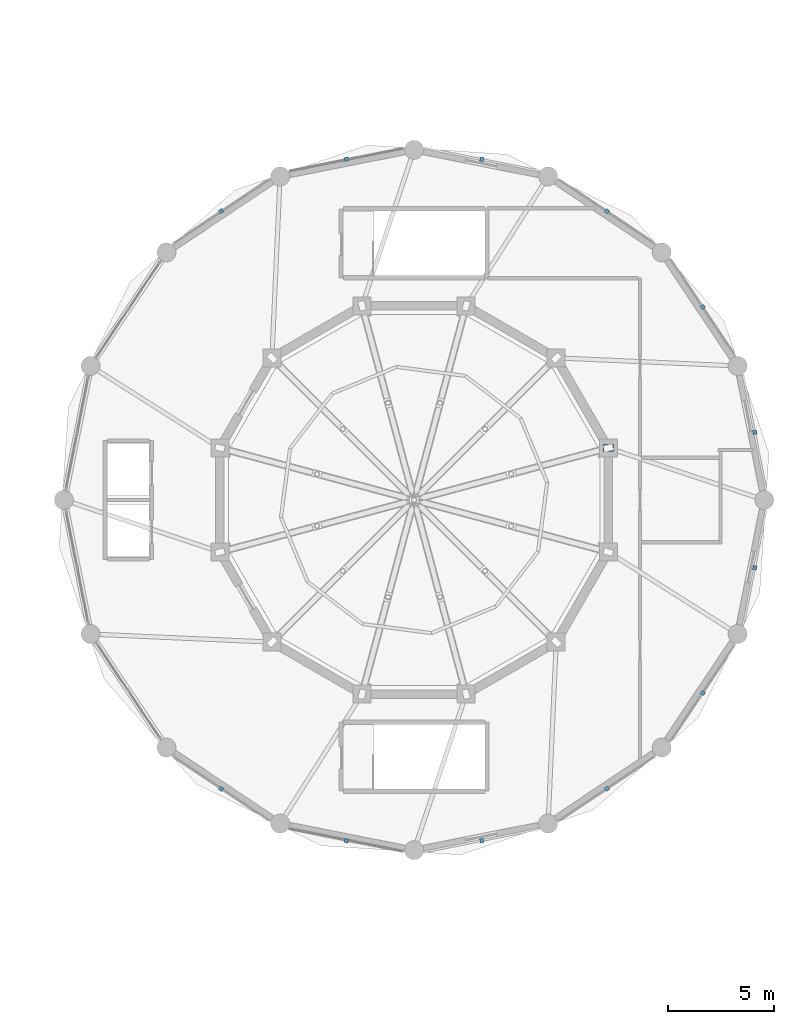
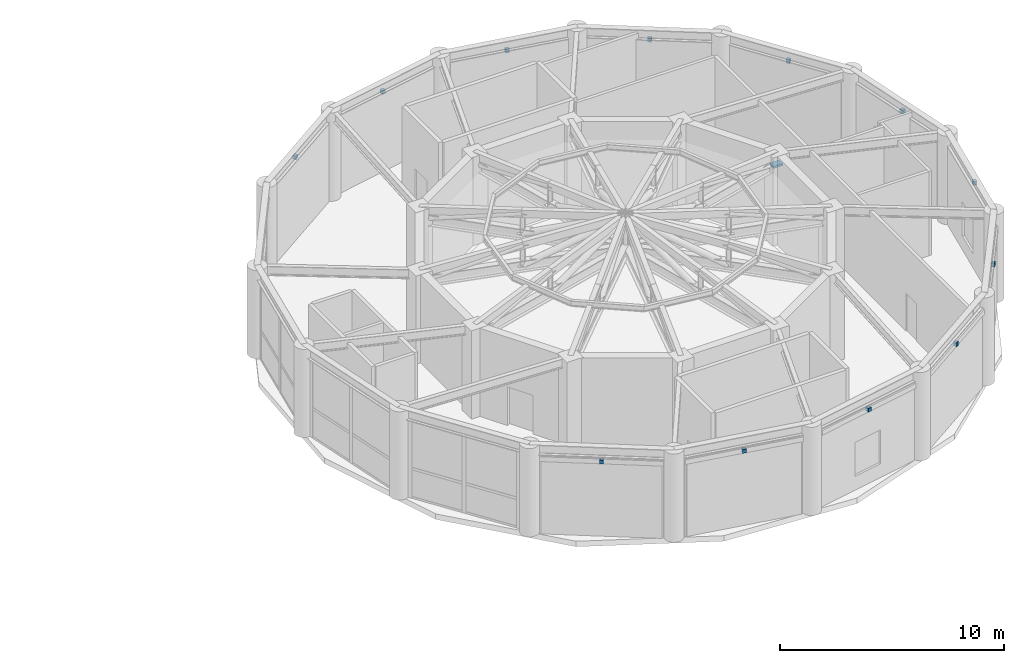
# One storey, part 23 of 26: 13 discrete accessories.
"""IFC4 building model written with IfcOpenShell, lengths in metres."""

from ifc_helpers import new_model, si_unit, derived_unit, direction, frame, origin, origin_2d, place, context, subcontext, project, spatial, rectangle, extrude, source, transform, mapped, material, type_object, element, save


model = new_model("IFC4")

# Units and contexts
model_context = context("Model", 3, precision=1e-05, world=origin(), true_north=direction((0.0, 1.0)))
body_context = subcontext(model_context, "Body", "Model", "MODEL_VIEW")
ifc_project = project(units=[si_unit("LENGTHUNIT", "METRE"), si_unit("AREAUNIT", "SQUARE_METRE"), si_unit("VOLUMEUNIT", "CUBIC_METRE"), si_unit("PLANEANGLEUNIT", "RADIAN"), si_unit("MASSUNIT", "GRAM", prefix="KILO"), derived_unit("THERMALTRANSMITTANCEUNIT", [(si_unit("POWERUNIT", "WATT"), 1), (si_unit("LENGTHUNIT", "METRE"), -2), (si_unit("THERMODYNAMICTEMPERATUREUNIT", "KELVIN"), -1)])], contexts=[model_context])

# Site, building, storey
site_placement = place(None, origin())
site = spatial("IfcSite", under=ifc_project, at=site_placement, CompositionType="ELEMENT")
building_placement = place(site_placement, origin())
building = spatial("IfcBuilding", under=site, at=building_placement, Name="Korsvarv Bourse and Concert Hall", CompositionType="ELEMENT")
storey_placement = place(building_placement, frame((0.0, 0.0, 19.199951171875)))
storey = spatial("IfcBuildingStorey", under=building, at=storey_placement, Name="L04", CompositionType="ELEMENT", Elevation=19.199951171875)

# Discrete accessories
ifc_material_1 = material(Name="Steel S355 and PTFE bearing", Category="steel")
discrete_accessory_type_1 = type_object("IfcDiscreteAccessoryType", Name="ACC-PTFE", PredefinedType="USERDEFINED", material=ifc_material_1)
shared_shape_1 = source(origin(), body_context, "Body", "SweptSolid", [
    extrude(rectangle(XDim=0.47998046875, YDim=0.320068359375, at=origin_2d()), origin(), (0.0, 0.0, 1.0), 0.1201171875),
])
discrete_accessory_placement = place(storey_placement, frame((115.976318359375, 38.458740234375, 3.989990234375), z_axis=(0.0, 0.0, 1.0), x_axis=(1.0, 0.0, 0.0)))
element("IfcDiscreteAccessory", 1, at=discrete_accessory_placement, inside=storey, type_object=discrete_accessory_type_1, Name="Concert Hall Roof Truss PTFE Bearing Seat 1", ObjectType="SLIDING BEARING", PredefinedType="USERDEFINED", context=body_context, shape_type="MappedRepresentation", body=[
    mapped(shared_shape_1, transform((0.0, 0.0, 0.0), scale=1.0)),
])
ifc_material_2 = material(Name="Stainless Steel S355 facade outrigger bracket", Category="steel")
discrete_accessory_type_2 = type_object("IfcDiscreteAccessoryType", Name="ACC-BRK-1", PredefinedType="BRACKET", material=ifc_material_2)
shared_shape_2 = source(origin(), body_context, "Body", "SweptSolid", [
    extrude(rectangle(XDim=0.179931640625, YDim=0.179931640625, at=origin_2d()), origin(), (0.0, 0.0, 1.0), 0.199951171875),
])
for number, where, z_axis, x_axis, name in (
    (2, (122.896484375, 39.201904296875, 3.990234375), (0.0, 0.0, 1.0), (-0.195090322016, 0.980785280403, 0.0), "L04 terracotta sunshade bracket EW-L04-CHD01"),
    (3, (120.446044921875, 45.117919921875, 3.990234375), (0.0, 0.0, 1.0), (-0.55557023302, 0.831469612303, 0.0), "L04 terracotta sunshade bracket EW-L04-CHD02"),
    (4, (115.91796875, 49.64599609375, 3.990234375), (0.0, 0.0, 1.0), (-0.831469612303, 0.55557023302, 0.0), "L04 terracotta sunshade bracket EW-L04-CHD03"),
    (5, (110.001708984375, 52.0966796875, 3.990234375), (0.0, 0.0, 1.0), (-0.980785280403, 0.195090322016, 0.0), "L04 terracotta sunshade bracket EW-L04-CHD04"),
    (6, (103.59814453125, 52.0966796875, 3.990234375), (0.0, 0.0, 1.0), (-0.980785280403, -0.195090322016, 0.0), "L04 terracotta sunshade bracket EW-L04-CHD05"),
    (7, (97.681884765625, 49.64599609375, 3.990234375), (0.0, 0.0, 1.0), (-0.831469612303, -0.55557023302, 0.0), "L04 terracotta sunshade bracket EW-L04-CHD06"),
    (8, (97.681884765625, 22.35400390625, 3.990234375), (0.0, 0.0, 1.0), (0.831469612303, -0.55557023302, 0.0), "L04 terracotta sunshade bracket EW-L04-CHD11"),
    (9, (103.59814453125, 19.9033203125, 3.990234375), (0.0, 0.0, 1.0), (0.980785280403, -0.195090322016, 0.0), "L04 terracotta sunshade bracket EW-L04-CHD12"),
    (10, (110.001708984375, 19.9033203125, 3.990234375), (0.0, 0.0, 1.0), (0.980785280403, 0.195090322016, 0.0), "L04 terracotta sunshade bracket EW-L04-CHD13"),
    (11, (115.91796875, 22.35400390625, 3.990234375), (0.0, 0.0, 1.0), (0.831469612303, 0.55557023302, 0.0), "L04 terracotta sunshade bracket EW-L04-CHD14"),
    (12, (120.446044921875, 26.882080078125, 3.990234375), (0.0, 0.0, 1.0), (0.55557023302, 0.831469612303, 0.0), "L04 terracotta sunshade bracket EW-L04-CHD15"),
    (13, (122.896484375, 32.798095703125, 3.990234375), (0.0, 0.0, 1.0), (0.195090322016, 0.980785280403, 0.0), "L04 terracotta sunshade bracket EW-L04-CHD16"),
):
    element("IfcDiscreteAccessory", number, at=place(storey_placement, frame(where, z_axis=z_axis, x_axis=x_axis)), inside=storey, type_object=discrete_accessory_type_2, Name=name, PredefinedType="BRACKET", context=body_context, shape_type="MappedRepresentation", body=[
        mapped(shared_shape_2, transform((0.0, 0.0, 0.0), scale=1.0)),
    ])

save(model, "model.ifc")
